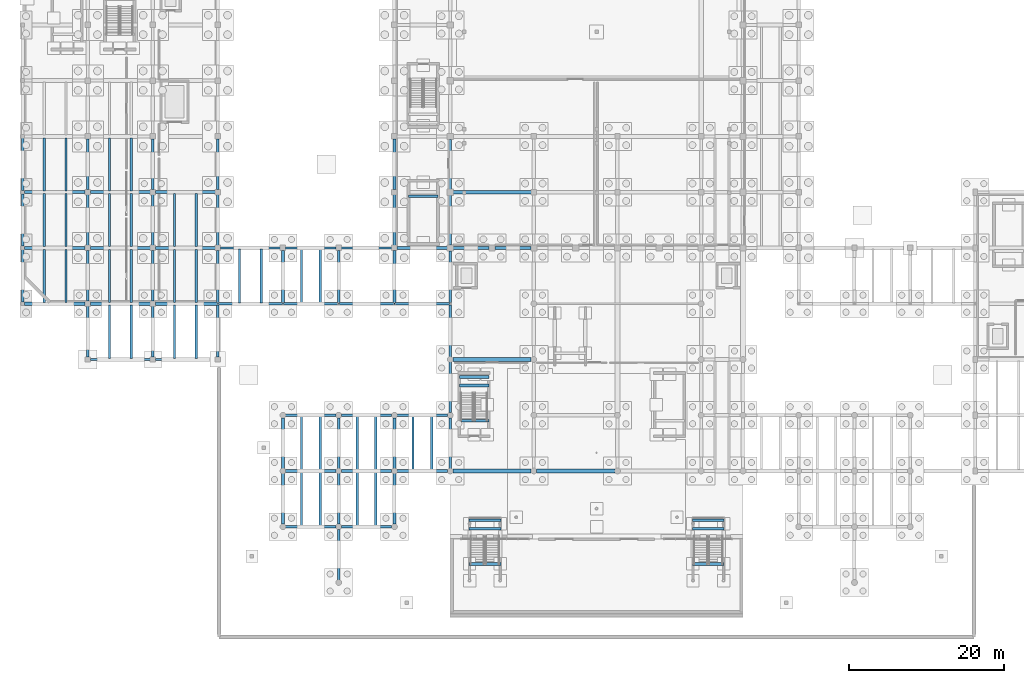
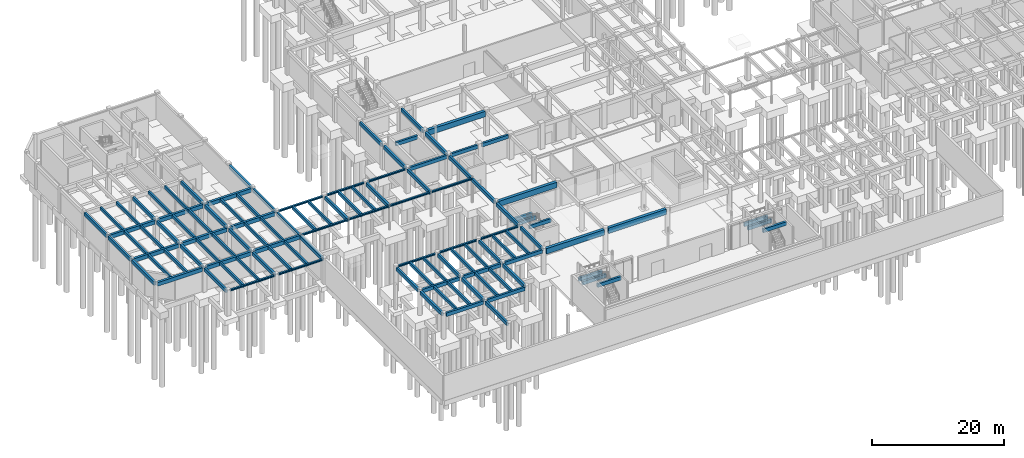
# One storey, part 19 of 46: 110 beams.
"""IFC4 building model written with IfcOpenShell, lengths in metres."""

from ifc_helpers import new_model, si_unit, direction, frame, origin, origin_2d, place, context, subcontext, project, spatial, rectangle, i_section, extrude, material, material_profile, profile_set, type_object, element, save


model = new_model("IFC4")

# Units and contexts
model_context = context("Model", 3, precision=1e-05, world=origin(), true_north=direction((0.0, 1.0)))
body_context = subcontext(model_context, "Body", "Model", "MODEL_VIEW")
ifc_project = project(units=[si_unit("LENGTHUNIT", "METRE"), si_unit("AREAUNIT", "SQUARE_METRE"), si_unit("VOLUMEUNIT", "CUBIC_METRE"), si_unit("PLANEANGLEUNIT", "RADIAN"), si_unit("MASSUNIT", "GRAM", prefix="KILO")], contexts=[model_context])

# Site, building, storey
site_placement = place(None, origin())
site = spatial("IfcSite", under=ifc_project, at=site_placement, CompositionType="ELEMENT")
building_placement = place(site_placement, origin())
building = spatial("IfcBuilding", under=site, at=building_placement, Name="Tazoul Stagehouse", CompositionType="ELEMENT")
storey_placement = place(building_placement, frame((0.0, 0.0, -4.800048828125)))
storey = spatial("IfcBuildingStorey", under=building, at=storey_placement, Name="B1", CompositionType="ELEMENT", Elevation=-4.800048828125)

# Beams
ifc_material_1 = material(Name="Concrete C40/50", Category="concrete")
ifc_material_profile_1 = material_profile(ifc_material_1, rectangle(XDim=0.35009765625, YDim=0.64990234375, at=origin_2d()), Name="RC 350x650")
ifc_profile_set_1 = profile_set([ifc_material_profile_1], Name="Concrete C40/50")
beam_type_1 = type_object("IfcBeamType", Name="RC Perimeter Spandrel 350x650 (Exterior)", PredefinedType="SPANDREL", material=ifc_profile_set_1)
for number, where, z_axis, x_axis, name in (
    (1, (2.39990234375, 44.824951171875, 4.213134765625), (0.0, 1.0, 0.0), (-1.0, 0.0, 0.0), "B1 Beam SP-01E 1/G-H"),
    (2, (2.39990234375, 52.02490234375, 4.213134765625), (0.0, 1.0, 0.0), (-1.0, 0.0, 0.0), "B1 Beam SP-01E 1/H-J"),
    (3, (2.39990234375, 59.22509765625, 4.213134765625), (0.0, 1.0, 0.0), (-1.0, 0.0, 0.0), "B1 Beam SP-01E 1/J-K"),
):
    element("IfcBeam", number, at=place(storey_placement, frame(where, z_axis=z_axis, x_axis=x_axis)), inside=storey, type_object=beam_type_1, Name=name, PredefinedType="SPANDREL", context=body_context, shape_type="SweptSolid", body=[
        extrude(rectangle(XDim=0.35009765625, YDim=0.64990234375, at=origin_2d()), origin(), (0.0, 0.0, 1.0), 6.75),
    ])
beam_1_placement = place(storey_placement, frame((27.60009765625, 37.72509765625, 4.213134765625), z_axis=(0.0, 1.0, 0.0), x_axis=(-1.0, 0.0, 0.0)))
element("IfcBeam", 4, at=beam_1_placement, inside=storey, type_object=beam_type_1, Name="B1 Beam SP-01E 4/F-G", PredefinedType="SPANDREL", context=body_context, shape_type="SweptSolid", body=[
    extrude(rectangle(XDim=0.35009765625, YDim=0.64990234375, at=origin_2d()), origin(), (0.0, 0.0, 1.0), 6.738037109375),
])
for number, where, z_axis, x_axis, name in (
    (5, (27.60009765625, 52.125, 4.213134765625), (0.0, 1.0, 0.0), (-1.0, 0.0, 0.0), "B1 Beam SP-01E 4/H-J"),
    (6, (27.60009765625, 59.324951171875, 4.213134765625), (0.0, 1.0, 0.0), (-1.0, 0.0, 0.0), "B1 Beam SP-01E 4/J-K"),
):
    element("IfcBeam", number, at=place(storey_placement, frame(where, z_axis=z_axis, x_axis=x_axis)), inside=storey, type_object=beam_type_1, Name=name, PredefinedType="SPANDREL", context=body_context, shape_type="SweptSolid", body=[
        extrude(rectangle(XDim=0.35009765625, YDim=0.64990234375, at=origin_2d()), origin(), (0.0, 0.0, 1.0), 6.550048828125),
    ])
for number, where, z_axis, x_axis, name in (
    (7, (36.0, 16.14990234375, 4.213134765625), (0.0, 1.0, 0.0), (-1.0, 0.0, 0.0), "B1 Beam SP-01E 5/C-D"),
    (8, (36.0, 23.35009765625, 4.213134765625), (0.0, 1.0, 0.0), (-1.0, 0.0, 0.0), "B1 Beam SP-01E 5/D-E"),
):
    element("IfcBeam", number, at=place(storey_placement, frame(where, z_axis=z_axis, x_axis=x_axis)), inside=storey, type_object=beam_type_1, Name=name, PredefinedType="SPANDREL", context=body_context, shape_type="SweptSolid", body=[
        extrude(rectangle(XDim=0.35009765625, YDim=0.64990234375, at=origin_2d()), origin(), (0.0, 0.0, 1.0), 6.5),
    ])
for number, where, z_axis, x_axis, name in (
    (9, (50.39990234375, 52.125, 4.193115234375), (0.0, 1.0, 0.0), (-1.0, 0.0, 0.0), "B1 Beam SP-01E 7/H-J"),
    (10, (50.39990234375, 59.324951171875, 4.193115234375), (0.0, 1.0, 0.0), (-1.0, 0.0, 0.0), "B1 Beam SP-01E 7/J-K"),
):
    element("IfcBeam", number, at=place(storey_placement, frame(where, z_axis=z_axis, x_axis=x_axis)), inside=storey, type_object=beam_type_1, Name=name, PredefinedType="SPANDREL", context=body_context, shape_type="SweptSolid", body=[
        extrude(rectangle(XDim=0.35009765625, YDim=0.64990234375, at=origin_2d()), origin(), (0.0, 0.0, 1.0), 6.550048828125),
    ])
beam_2_placement = place(storey_placement, frame((57.60009765625, 30.550048828125, 4.213134765625), z_axis=(0.0, 1.0, 0.0), x_axis=(-1.0, 0.0, 0.0)))
element("IfcBeam", 11, at=beam_2_placement, inside=storey, type_object=beam_type_1, Name="B1 Beam SP-01E 8/E-F", PredefinedType="SPANDREL", context=body_context, shape_type="SweptSolid", body=[
    extrude(rectangle(XDim=0.35009765625, YDim=0.64990234375, at=origin_2d()), origin(), (0.0, 0.0, 1.0), 6.5),
])
beam_3_placement = place(storey_placement, frame((57.60009765625, 37.75, 4.213134765625), z_axis=(0.0, 1.0, 0.0), x_axis=(-1.0, 0.0, 0.0)))
element("IfcBeam", 12, at=beam_3_placement, inside=storey, type_object=beam_type_1, Name="B1 Beam SP-01E 8/F-G", PredefinedType="SPANDREL", context=body_context, shape_type="SweptSolid", body=[
    extrude(rectangle(XDim=0.35009765625, YDim=0.64990234375, at=origin_2d()), origin(), (0.0, 0.0, 1.0), 6.713134765625),
])
ifc_material_profile_2 = material_profile(ifc_material_1, rectangle(XDim=0.35009765625, YDim=0.64990234375, at=origin_2d()), Name="RC 350x650")
ifc_profile_set_2 = profile_set([ifc_material_profile_2], Name="Concrete C40/50")
beam_type_2 = type_object("IfcBeamType", Name="RC Primary Girder 350x650", PredefinedType="BEAM", material=ifc_profile_set_2)
for number, where, z_axis, x_axis, name in (
    (13, (36.35009765625, 15.800048828125, 4.213134765625), (1.0, 0.0, 0.0), (0.0, 1.0, 0.0), "B1 Beam BM-01 C/5-6"),
    (14, (43.550048828125, 15.800048828125, 4.213134765625), (1.0, 0.0, 0.0), (0.0, 1.0, 0.0), "B1 Beam BM-01 C/6-7"),
    (15, (36.35009765625, 23.0, 4.213134765625), (1.0, 0.0, 0.0), (0.0, 1.0, 0.0), "B1 Beam BM-01 D/5-6"),
    (16, (43.550048828125, 23.0, 4.213134765625), (1.0, 0.0, 0.0), (0.0, 1.0, 0.0), "B1 Beam BM-01 D/6-7"),
    (17, (50.75, 23.0, 4.213134765625), (1.0, 0.0, 0.0), (0.0, 1.0, 0.0), "B1 Beam BM-01 D/7-8"),
    (18, (50.72509765625, 51.800048828125, 4.193115234375), (1.0, 0.0, 0.0), (0.0, 1.0, 0.0), "B1 Beam BM-01 H/7-8"),
):
    element("IfcBeam", number, at=place(storey_placement, frame(where, z_axis=z_axis, x_axis=x_axis)), inside=storey, type_object=beam_type_2, Name=name, PredefinedType="BEAM", context=body_context, shape_type="SweptSolid", body=[
        extrude(rectangle(XDim=0.35009765625, YDim=0.64990234375, at=origin_2d()), origin(), (0.0, 0.0, 1.0), 6.5),
    ])
for number, where, z_axis, x_axis, name in (
    (19, (57.97509765625, 51.800048828125, 4.193115234375), (1.0, 0.0, 0.0), (0.0, 1.0, 0.0), "B1 Beam BM-01 H/8-9"),
    (20, (63.375, 51.800048828125, 4.193115234375), (1.0, 0.0, 0.0), (0.0, 1.0, 0.0), "B1 Beam BM-01 H/9-10"),
):
    element("IfcBeam", number, at=place(storey_placement, frame(where, z_axis=z_axis, x_axis=x_axis)), inside=storey, type_object=beam_type_2, Name=name, PredefinedType="BEAM", context=body_context, shape_type="SweptSolid", body=[
        extrude(rectangle(XDim=0.35009765625, YDim=0.64990234375, at=origin_2d()), origin(), (0.0, 0.0, 1.0), 4.64990234375),
    ])
beam_4_placement = place(storey_placement, frame((10.800048828125, 37.72509765625, 4.213134765625), z_axis=(0.0, 1.0, 0.0), x_axis=(-1.0, 0.0, 0.0)))
element("IfcBeam", 21, at=beam_4_placement, inside=storey, type_object=beam_type_2, Name="B1 Beam BM-01 2/F-G", PredefinedType="BEAM", context=body_context, shape_type="SweptSolid", body=[
    extrude(rectangle(XDim=0.35009765625, YDim=0.64990234375, at=origin_2d()), origin(), (0.0, 0.0, 1.0), 6.5498046875),
])
for number, where, z_axis, x_axis, name in (
    (22, (10.800048828125, 44.925048828125, 4.213134765625), (0.0, 1.0, 0.0), (-1.0, 0.0, 0.0), "B1 Beam BM-01 2/G-H"),
    (23, (10.800048828125, 52.125, 4.213134765625), (0.0, 1.0, 0.0), (-1.0, 0.0, 0.0), "B1 Beam BM-01 2/H-J"),
    (24, (10.800048828125, 59.324951171875, 4.213134765625), (0.0, 1.0, 0.0), (-1.0, 0.0, 0.0), "B1 Beam BM-01 2/J-K"),
):
    element("IfcBeam", number, at=place(storey_placement, frame(where, z_axis=z_axis, x_axis=x_axis)), inside=storey, type_object=beam_type_2, Name=name, PredefinedType="BEAM", context=body_context, shape_type="SweptSolid", body=[
        extrude(rectangle(XDim=0.35009765625, YDim=0.64990234375, at=origin_2d()), origin(), (0.0, 0.0, 1.0), 6.550048828125),
    ])
beam_5_placement = place(storey_placement, frame((19.199951171875, 37.72509765625, 4.213134765625), z_axis=(0.0, 1.0, 0.0), x_axis=(-1.0, 0.0, 0.0)))
element("IfcBeam", 25, at=beam_5_placement, inside=storey, type_object=beam_type_2, Name="B1 Beam BM-01 3/F-G", PredefinedType="BEAM", context=body_context, shape_type="SweptSolid", body=[
    extrude(rectangle(XDim=0.35009765625, YDim=0.64990234375, at=origin_2d()), origin(), (0.0, 0.0, 1.0), 6.5498046875),
])
for number, where, z_axis, x_axis, name in (
    (26, (19.199951171875, 44.925048828125, 4.213134765625), (0.0, 1.0, 0.0), (-1.0, 0.0, 0.0), "B1 Beam BM-01 3/G-H"),
    (27, (19.199951171875, 52.125, 4.213134765625), (0.0, 1.0, 0.0), (-1.0, 0.0, 0.0), "B1 Beam BM-01 3/H-J"),
    (28, (19.199951171875, 59.324951171875, 4.213134765625), (0.0, 1.0, 0.0), (-1.0, 0.0, 0.0), "B1 Beam BM-01 3/J-K"),
):
    element("IfcBeam", number, at=place(storey_placement, frame(where, z_axis=z_axis, x_axis=x_axis)), inside=storey, type_object=beam_type_2, Name=name, PredefinedType="BEAM", context=body_context, shape_type="SweptSolid", body=[
        extrude(rectangle(XDim=0.35009765625, YDim=0.64990234375, at=origin_2d()), origin(), (0.0, 0.0, 1.0), 6.550048828125),
    ])
for number, where, z_axis, x_axis, name in (
    (29, (27.60009765625, 44.737060546875, 4.213134765625), (0.0, 1.0, 0.0), (-1.0, 0.0, 0.0), "B1 Beam BM-01 4/G-H"),
    (30, (36.0, 44.737060546875, 4.213134765625), (0.0, 1.0, 0.0), (-1.0, 0.0, 0.0), "B1 Beam BM-01 5/G-H"),
):
    element("IfcBeam", number, at=place(storey_placement, frame(where, z_axis=z_axis, x_axis=x_axis)), inside=storey, type_object=beam_type_2, Name=name, PredefinedType="BEAM", context=body_context, shape_type="SweptSolid", body=[
        extrude(rectangle(XDim=0.35009765625, YDim=0.64990234375, at=origin_2d()), origin(), (0.0, 0.0, 1.0), 6.738037109375),
    ])
for number, where, z_axis, x_axis, name in (
    (31, (43.199951171875, 8.949951171875, 4.213134765625), (0.0, 1.0, 0.0), (-1.0, 0.0, 0.0), "B1 Beam BM-01 6/B-C"),
    (32, (43.199951171875, 16.14990234375, 4.213134765625), (0.0, 1.0, 0.0), (-1.0, 0.0, 0.0), "B1 Beam BM-01 6/C-D"),
    (33, (43.199951171875, 23.35009765625, 4.213134765625), (0.0, 1.0, 0.0), (-1.0, 0.0, 0.0), "B1 Beam BM-01 6/D-E"),
):
    element("IfcBeam", number, at=place(storey_placement, frame(where, z_axis=z_axis, x_axis=x_axis)), inside=storey, type_object=beam_type_2, Name=name, PredefinedType="BEAM", context=body_context, shape_type="SweptSolid", body=[
        extrude(rectangle(XDim=0.35009765625, YDim=0.64990234375, at=origin_2d()), origin(), (0.0, 0.0, 1.0), 6.5),
    ])
beam_6_placement = place(storey_placement, frame((43.199951171875, 44.737060546875, 4.213134765625), z_axis=(0.0, 1.0, 0.0), x_axis=(-1.0, 0.0, 0.0)))
element("IfcBeam", 34, at=beam_6_placement, inside=storey, type_object=beam_type_2, Name="B1 Beam BM-01 6/G-H", PredefinedType="BEAM", context=body_context, shape_type="SweptSolid", body=[
    extrude(rectangle(XDim=0.35009765625, YDim=0.64990234375, at=origin_2d()), origin(), (0.0, 0.0, 1.0), 6.738037109375),
])
for number, where, z_axis, x_axis, name in (
    (35, (50.39990234375, 16.14990234375, 4.213134765625), (0.0, 1.0, 0.0), (-1.0, 0.0, 0.0), "B1 Beam BM-01 7/C-D"),
    (36, (50.39990234375, 23.35009765625, 4.213134765625), (0.0, 1.0, 0.0), (-1.0, 0.0, 0.0), "B1 Beam BM-01 7/D-E"),
):
    element("IfcBeam", number, at=place(storey_placement, frame(where, z_axis=z_axis, x_axis=x_axis)), inside=storey, type_object=beam_type_2, Name=name, PredefinedType="BEAM", context=body_context, shape_type="SweptSolid", body=[
        extrude(rectangle(XDim=0.35009765625, YDim=0.64990234375, at=origin_2d()), origin(), (0.0, 0.0, 1.0), 6.5),
    ])
beam_7_placement = place(storey_placement, frame((50.39990234375, 44.737060546875, 4.193115234375), z_axis=(0.0, 1.0, 0.0), x_axis=(-1.0, 0.0, 0.0)))
element("IfcBeam", 37, at=beam_7_placement, inside=storey, type_object=beam_type_2, Name="B1 Beam BM-01 7/G-H", PredefinedType="BEAM", context=body_context, shape_type="SweptSolid", body=[
    extrude(rectangle(XDim=0.35009765625, YDim=0.64990234375, at=origin_2d()), origin(), (0.0, 0.0, 1.0), 6.738037109375),
])
beam_8_placement = place(storey_placement, frame((57.60009765625, 23.35009765625, 4.213134765625), z_axis=(0.0, 1.0, 0.0), x_axis=(-1.0, 0.0, 0.0)))
element("IfcBeam", 38, at=beam_8_placement, inside=storey, type_object=beam_type_2, Name="B1 Beam BM-01 8/D-E", PredefinedType="BEAM", context=body_context, shape_type="SweptSolid", body=[
    extrude(rectangle(XDim=0.35009765625, YDim=0.64990234375, at=origin_2d()), origin(), (0.0, 0.0, 1.0), 6.5),
])
beam_9_placement = place(storey_placement, frame((57.60009765625, 44.737060546875, 4.193115234375), z_axis=(0.0, 1.0, 0.0), x_axis=(-1.0, 0.0, 0.0)))
element("IfcBeam", 39, at=beam_9_placement, inside=storey, type_object=beam_type_2, Name="B1 Beam BM-01 8/G-H", PredefinedType="BEAM", context=body_context, shape_type="SweptSolid", body=[
    extrude(rectangle(XDim=0.35009765625, YDim=0.64990234375, at=origin_2d()), origin(), (0.0, 0.0, 1.0), 6.68798828125),
])
for number, where, z_axis, x_axis, name in (
    (40, (57.60009765625, 52.175048828125, 4.193115234375), (0.0, 1.0, 0.0), (-1.0, 0.0, 0.0), "B1 Beam BM-01 8/H-J"),
    (41, (57.60009765625, 59.375, 4.193115234375), (0.0, 1.0, 0.0), (-1.0, 0.0, 0.0), "B1 Beam BM-01 8/J-K"),
):
    element("IfcBeam", number, at=place(storey_placement, frame(where, z_axis=z_axis, x_axis=x_axis)), inside=storey, type_object=beam_type_2, Name=name, PredefinedType="BEAM", context=body_context, shape_type="SweptSolid", body=[
        extrude(rectangle(XDim=0.35009765625, YDim=0.64990234375, at=origin_2d()), origin(), (0.0, 0.0, 1.0), 6.449951171875),
    ])
for number, where, z_axis, x_axis, name in (
    (42, (52.219970703125, 58.489990234375, 4.195068359375), (1.0, 0.0, 0.0), (0.0, 1.0, 0.0), "B1 Stair Base Departure Trimmer BM-01 (ST-05-FL0)"),
    (43, (58.77001953125, 34.030029296875, 1.880126953125), (1.0, 0.0, 0.0), (0.0, 1.0, 0.0), "B1 Stair Half-Landing Trimmer BM-01 (ST-B8-1)"),
    (44, (58.77001953125, 35.1298828125, 1.880126953125), (1.0, 0.0, 0.0), (0.0, 1.0, 0.0), "B1 Stair Half-Landing Trimmer BM-01 (ST-B8-2)"),
    (45, (58.77001953125, 29.47998046875, 4.195068359375), (1.0, 0.0, 0.0), (0.0, 1.0, 0.0), "B1 Stair Landing Trimmer BM-01 (ST-B8-FL)"),
):
    element("IfcBeam", number, at=place(storey_placement, frame(where, z_axis=z_axis, x_axis=x_axis)), inside=storey, type_object=beam_type_2, Name=name, PredefinedType="BEAM", context=body_context, shape_type="SweptSolid", body=[
        extrude(rectangle(XDim=0.35009765625, YDim=0.64990234375, at=origin_2d()), origin(), (0.0, 0.0, 1.0), 3.81005859375),
    ])
ifc_material_profile_3 = material_profile(ifc_material_1, rectangle(XDim=0.35009765625, YDim=0.64990234375, at=origin_2d()), Name="RC 350x650")
ifc_profile_set_3 = profile_set([ifc_material_profile_3], Name="Concrete C40/50")
beam_type_3 = type_object("IfcBeamType", Name="RC Primary Girder 350x650 (Exterior)", PredefinedType="BEAM", material=ifc_profile_set_3)
for number, where, z_axis, x_axis, name in (
    (46, (60.02001953125, 15.550048828125, 1.880126953125), (1.0, 0.0, 0.0), (0.0, 1.0, 0.0), "B1 Stair Half-Landing Trimmer BM-01E (ST-AMP-W-1)"),
    (47, (60.02001953125, 16.64990234375, 1.880126953125), (1.0, 0.0, 0.0), (0.0, 1.0, 0.0), "B1 Stair Half-Landing Trimmer BM-01E (ST-AMP-W-2)"),
    (48, (60.02001953125, 11.0, 4.195068359375), (1.0, 0.0, 0.0), (0.0, 1.0, 0.0), "B1 Stair Landing Trimmer BM-01E (ST-AMP-W-FL)"),
    (49, (88.8701171875, 15.550048828125, 1.880126953125), (1.0, 0.0, 0.0), (0.0, 1.0, 0.0), "B1 Stair Half-Landing Trimmer BM-01E (ST-AMP-E-1)"),
    (50, (88.8701171875, 16.64990234375, 1.880126953125), (1.0, 0.0, 0.0), (0.0, 1.0, 0.0), "B1 Stair Half-Landing Trimmer BM-01E (ST-AMP-E-2)"),
    (51, (88.8701171875, 11.0, 4.195068359375), (1.0, 0.0, 0.0), (0.0, 1.0, 0.0), "B1 Stair Landing Trimmer BM-01E (ST-AMP-E-FL)"),
):
    element("IfcBeam", number, at=place(storey_placement, frame(where, z_axis=z_axis, x_axis=x_axis)), inside=storey, type_object=beam_type_3, Name=name, PredefinedType="BEAM", context=body_context, shape_type="SweptSolid", body=[
        extrude(rectangle(XDim=0.35009765625, YDim=0.64990234375, at=origin_2d()), origin(), (0.0, 0.0, 1.0), 4.10986328125),
    ])
ifc_material_profile_4 = material_profile(ifc_material_1, rectangle(XDim=0.39990234375, YDim=0.699951171875, at=origin_2d()), Name="RC 400x700")
ifc_profile_set_4 = profile_set([ifc_material_profile_4], Name="Concrete C40/50")
beam_type_4 = type_object("IfcBeamType", Name="RC Primary Girder 400x700", PredefinedType="BEAM", material=ifc_profile_set_4)
beam_10_placement = place(storey_placement, frame((2.625, 44.60009765625, 4.18798828125), z_axis=(1.0, 0.0, 0.0), x_axis=(0.0, 1.0, 0.0)))
element("IfcBeam", 52, at=beam_10_placement, inside=storey, type_object=beam_type_4, Name="B1 Beam BM-02 G/1-2", PredefinedType="BEAM", context=body_context, shape_type="SweptSolid", body=[
    extrude(rectangle(XDim=0.39990234375, YDim=0.699951171875, at=origin_2d()), origin(), (0.0, 0.0, 1.0), 7.85009765625),
])
beam_11_placement = place(storey_placement, frame((11.125, 44.60009765625, 4.18798828125), z_axis=(1.0, 0.0, 0.0), x_axis=(0.0, 1.0, 0.0)))
element("IfcBeam", 53, at=beam_11_placement, inside=storey, type_object=beam_type_4, Name="B1 Beam BM-02 G/2-3", PredefinedType="BEAM", context=body_context, shape_type="SweptSolid", body=[
    extrude(rectangle(XDim=0.39990234375, YDim=0.699951171875, at=origin_2d()), origin(), (0.0, 0.0, 1.0), 7.75),
])
beam_12_placement = place(storey_placement, frame((19.52490234375, 44.60009765625, 4.18798828125), z_axis=(1.0, 0.0, 0.0), x_axis=(0.0, 1.0, 0.0)))
element("IfcBeam", 54, at=beam_12_placement, inside=storey, type_object=beam_type_4, Name="B1 Beam BM-02 G/3-4", PredefinedType="BEAM", context=body_context, shape_type="SweptSolid", body=[
    extrude(rectangle(XDim=0.39990234375, YDim=0.699951171875, at=origin_2d()), origin(), (0.0, 0.0, 1.0), 8.065185546875),
])
beam_13_placement = place(storey_placement, frame((2.625, 51.800048828125, 4.18798828125), z_axis=(1.0, 0.0, 0.0), x_axis=(0.0, 1.0, 0.0)))
element("IfcBeam", 55, at=beam_13_placement, inside=storey, type_object=beam_type_4, Name="B1 Beam BM-02 H/1-2", PredefinedType="BEAM", context=body_context, shape_type="SweptSolid", body=[
    extrude(rectangle(XDim=0.39990234375, YDim=0.699951171875, at=origin_2d()), origin(), (0.0, 0.0, 1.0), 7.85009765625),
])
for number, where, z_axis, x_axis, name in (
    (56, (11.125, 51.800048828125, 4.18798828125), (1.0, 0.0, 0.0), (0.0, 1.0, 0.0), "B1 Beam BM-02 H/2-3"),
    (57, (19.52490234375, 51.800048828125, 4.18798828125), (1.0, 0.0, 0.0), (0.0, 1.0, 0.0), "B1 Beam BM-02 H/3-4"),
):
    element("IfcBeam", number, at=place(storey_placement, frame(where, z_axis=z_axis, x_axis=x_axis)), inside=storey, type_object=beam_type_4, Name=name, PredefinedType="BEAM", context=body_context, shape_type="SweptSolid", body=[
        extrude(rectangle(XDim=0.39990234375, YDim=0.699951171875, at=origin_2d()), origin(), (0.0, 0.0, 1.0), 7.75),
    ])
beam_14_placement = place(storey_placement, frame((2.625, 59.0, 4.18798828125), z_axis=(1.0, 0.0, 0.0), x_axis=(0.0, 1.0, 0.0)))
element("IfcBeam", 58, at=beam_14_placement, inside=storey, type_object=beam_type_4, Name="B1 Beam BM-02 J/1-2", PredefinedType="BEAM", context=body_context, shape_type="SweptSolid", body=[
    extrude(rectangle(XDim=0.39990234375, YDim=0.699951171875, at=origin_2d()), origin(), (0.0, 0.0, 1.0), 7.85009765625),
])
for number, where, z_axis, x_axis, name in (
    (59, (11.125, 59.0, 4.18798828125), (1.0, 0.0, 0.0), (0.0, 1.0, 0.0), "B1 Beam BM-02 J/2-3"),
    (60, (19.52490234375, 59.0, 4.18798828125), (1.0, 0.0, 0.0), (0.0, 1.0, 0.0), "B1 Beam BM-02 J/3-4"),
):
    element("IfcBeam", number, at=place(storey_placement, frame(where, z_axis=z_axis, x_axis=x_axis)), inside=storey, type_object=beam_type_4, Name=name, PredefinedType="BEAM", context=body_context, shape_type="SweptSolid", body=[
        extrude(rectangle(XDim=0.39990234375, YDim=0.699951171875, at=origin_2d()), origin(), (0.0, 0.0, 1.0), 7.75),
    ])
ifc_material_2 = material(Name="Concrete C35/45", Category="concrete")
ifc_material_profile_5 = material_profile(ifc_material_2, rectangle(XDim=0.300048828125, YDim=0.550048828125, at=origin_2d()), Name="RC 300x550")
ifc_profile_set_5 = profile_set([ifc_material_profile_5], Name="Concrete C35/45")
beam_type_5 = type_object("IfcBeamType", Name="RC Rib Joist 300x550", PredefinedType="JOIST", material=ifc_profile_set_5)
for number, where, z_axis, x_axis, name in (
    (61, (38.39990234375, 15.949951171875, 4.262939453125), (0.0, 1.0, 0.0), (-1.0, 0.0, 0.0), "B1 Joist JS-06 5/C-1"),
    (62, (40.800048828125, 15.949951171875, 4.262939453125), (0.0, 1.0, 0.0), (-1.0, 0.0, 0.0), "B1 Joist JS-06 5/C-2"),
    (63, (45.60009765625, 15.949951171875, 4.262939453125), (0.0, 1.0, 0.0), (-1.0, 0.0, 0.0), "B1 Joist JS-06 6/C-1"),
    (64, (48.0, 15.949951171875, 4.262939453125), (0.0, 1.0, 0.0), (-1.0, 0.0, 0.0), "B1 Joist JS-06 6/C-2"),
):
    element("IfcBeam", number, at=place(storey_placement, frame(where, z_axis=z_axis, x_axis=x_axis)), inside=storey, type_object=beam_type_5, Name=name, PredefinedType="JOIST", context=body_context, shape_type="SweptSolid", body=[
        extrude(rectangle(XDim=0.300048828125, YDim=0.550048828125, at=origin_2d()), origin(), (0.0, 0.0, 1.0), 6.900146484375),
    ])
for number, where, z_axis, x_axis, name in (
    (65, (38.39990234375, 23.14990234375, 4.262939453125), (0.0, 1.0, 0.0), (-1.0, 0.0, 0.0), "B1 Joist JS-06 5/D-1"),
    (66, (40.800048828125, 23.14990234375, 4.262939453125), (0.0, 1.0, 0.0), (-1.0, 0.0, 0.0), "B1 Joist JS-06 5/D-2"),
    (67, (45.60009765625, 23.14990234375, 4.262939453125), (0.0, 1.0, 0.0), (-1.0, 0.0, 0.0), "B1 Joist JS-06 6/D-1"),
    (68, (48.0, 23.14990234375, 4.262939453125), (0.0, 1.0, 0.0), (-1.0, 0.0, 0.0), "B1 Joist JS-06 6/D-2"),
    (69, (52.800048828125, 23.14990234375, 4.262939453125), (0.0, 1.0, 0.0), (-1.0, 0.0, 0.0), "B1 Joist JS-06 7/D-1"),
    (70, (55.199951171875, 23.14990234375, 4.262939453125), (0.0, 1.0, 0.0), (-1.0, 0.0, 0.0), "B1 Joist JS-06 7/D-2"),
):
    element("IfcBeam", number, at=place(storey_placement, frame(where, z_axis=z_axis, x_axis=x_axis)), inside=storey, type_object=beam_type_5, Name=name, PredefinedType="JOIST", context=body_context, shape_type="SweptSolid", body=[
        extrude(rectangle(XDim=0.300048828125, YDim=0.550048828125, at=origin_2d()), origin(), (0.0, 0.0, 1.0), 6.925048828125),
    ])
for number, where, z_axis, x_axis, name in (
    (71, (13.60009765625, 37.52490234375, 4.262939453125), (0.0, 1.0, 0.0), (-1.0, 0.0, 0.0), "B1 Joist JS-06 2/F-1"),
    (72, (16.39990234375, 37.52490234375, 4.262939453125), (0.0, 1.0, 0.0), (-1.0, 0.0, 0.0), "B1 Joist JS-06 2/F-2"),
    (73, (22.0, 37.52490234375, 4.262939453125), (0.0, 1.0, 0.0), (-1.0, 0.0, 0.0), "B1 Joist JS-06 3/F-1"),
    (74, (24.800048828125, 37.52490234375, 4.262939453125), (0.0, 1.0, 0.0), (-1.0, 0.0, 0.0), "B1 Joist JS-06 3/F-2"),
):
    element("IfcBeam", number, at=place(storey_placement, frame(where, z_axis=z_axis, x_axis=x_axis)), inside=storey, type_object=beam_type_5, Name=name, PredefinedType="JOIST", context=body_context, shape_type="SweptSolid", body=[
        extrude(rectangle(XDim=0.300048828125, YDim=0.550048828125, at=origin_2d()), origin(), (0.0, 0.0, 1.0), 6.900146484375),
    ])
for number, where, z_axis, x_axis, name in (
    (75, (5.199951171875, 44.77490234375, 4.262939453125), (0.0, 1.0, 0.0), (-1.0, 0.0, 0.0), "B1 Joist JS-06 1/G-1"),
    (76, (8.0, 44.77490234375, 4.262939453125), (0.0, 1.0, 0.0), (-1.0, 0.0, 0.0), "B1 Joist JS-06 1/G-2"),
    (77, (13.60009765625, 44.77490234375, 4.262939453125), (0.0, 1.0, 0.0), (-1.0, 0.0, 0.0), "B1 Joist JS-06 2/G-1"),
    (78, (16.39990234375, 44.77490234375, 4.262939453125), (0.0, 1.0, 0.0), (-1.0, 0.0, 0.0), "B1 Joist JS-06 2/G-2"),
    (79, (22.0, 44.77490234375, 4.262939453125), (0.0, 1.0, 0.0), (-1.0, 0.0, 0.0), "B1 Joist JS-06 3/G-1"),
    (80, (24.800048828125, 44.77490234375, 4.262939453125), (0.0, 1.0, 0.0), (-1.0, 0.0, 0.0), "B1 Joist JS-06 3/G-2"),
):
    element("IfcBeam", number, at=place(storey_placement, frame(where, z_axis=z_axis, x_axis=x_axis)), inside=storey, type_object=beam_type_5, Name=name, PredefinedType="JOIST", context=body_context, shape_type="SweptSolid", body=[
        extrude(rectangle(XDim=0.300048828125, YDim=0.550048828125, at=origin_2d()), origin(), (0.0, 0.0, 1.0), 6.85009765625),
    ])
for number, where, z_axis, x_axis, name in (
    (81, (30.39990234375, 44.72509765625, 4.262939453125), (0.0, 1.0, 0.0), (-1.0, 0.0, 0.0), "B1 Joist JS-06 4/G-1"),
    (82, (33.199951171875, 44.72509765625, 4.262939453125), (0.0, 1.0, 0.0), (-1.0, 0.0, 0.0), "B1 Joist JS-06 4/G-2"),
    (83, (38.39990234375, 44.72509765625, 4.262939453125), (0.0, 1.0, 0.0), (-1.0, 0.0, 0.0), "B1 Joist JS-06 5/G-1"),
    (84, (40.800048828125, 44.72509765625, 4.262939453125), (0.0, 1.0, 0.0), (-1.0, 0.0, 0.0), "B1 Joist JS-06 5/G-2"),
):
    element("IfcBeam", number, at=place(storey_placement, frame(where, z_axis=z_axis, x_axis=x_axis)), inside=storey, type_object=beam_type_5, Name=name, PredefinedType="JOIST", context=body_context, shape_type="SweptSolid", body=[
        extrude(rectangle(XDim=0.300048828125, YDim=0.550048828125, at=origin_2d()), origin(), (0.0, 0.0, 1.0), 6.949951171875),
    ])
for number, where, z_axis, x_axis, name in (
    (85, (5.199951171875, 51.97509765625, 4.262939453125), (0.0, 1.0, 0.0), (-1.0, 0.0, 0.0), "B1 Joist JS-06 1/H-1"),
    (86, (8.0, 51.97509765625, 4.262939453125), (0.0, 1.0, 0.0), (-1.0, 0.0, 0.0), "B1 Joist JS-06 1/H-2"),
    (87, (13.60009765625, 51.97509765625, 4.262939453125), (0.0, 1.0, 0.0), (-1.0, 0.0, 0.0), "B1 Joist JS-06 2/H-1"),
    (88, (16.39990234375, 51.97509765625, 4.262939453125), (0.0, 1.0, 0.0), (-1.0, 0.0, 0.0), "B1 Joist JS-06 2/H-2"),
    (89, (22.0, 51.97509765625, 4.262939453125), (0.0, 1.0, 0.0), (-1.0, 0.0, 0.0), "B1 Joist JS-06 3/H-1"),
    (90, (24.800048828125, 51.97509765625, 4.262939453125), (0.0, 1.0, 0.0), (-1.0, 0.0, 0.0), "B1 Joist JS-06 3/H-2"),
    (91, (5.199951171875, 59.175048828125, 4.262939453125), (0.0, 1.0, 0.0), (-1.0, 0.0, 0.0), "B1 Joist JS-06 1/J-1"),
    (92, (8.0, 59.175048828125, 4.262939453125), (0.0, 1.0, 0.0), (-1.0, 0.0, 0.0), "B1 Joist JS-06 1/J-2"),
    (93, (13.60009765625, 59.175048828125, 4.262939453125), (0.0, 1.0, 0.0), (-1.0, 0.0, 0.0), "B1 Joist JS-06 2/J-1"),
    (94, (16.39990234375, 59.175048828125, 4.262939453125), (0.0, 1.0, 0.0), (-1.0, 0.0, 0.0), "B1 Joist JS-06 2/J-2"),
):
    element("IfcBeam", number, at=place(storey_placement, frame(where, z_axis=z_axis, x_axis=x_axis)), inside=storey, type_object=beam_type_5, Name=name, PredefinedType="JOIST", context=body_context, shape_type="SweptSolid", body=[
        extrude(rectangle(XDim=0.300048828125, YDim=0.550048828125, at=origin_2d()), origin(), (0.0, 0.0, 1.0), 6.849853515625),
    ])
ifc_material_profile_6 = material_profile(ifc_material_1, rectangle(XDim=0.5, YDim=1.0, at=origin_2d()), Name="RC 500x1000")
ifc_profile_set_6 = profile_set([ifc_material_profile_6], Name="Concrete C40/50")
beam_type_6 = type_object("IfcBeamType", Name="RC Transfer Girder 500x1000", PredefinedType="BEAM", material=ifc_profile_set_6)
for number, where, z_axis, x_axis, name in (
    (95, (57.949951171875, 23.0, 4.0380859375), (1.0, 0.0, 0.0), (0.0, 1.0, 0.0), "B1 Beam BM-04 D/8-10"),
    (96, (68.75, 23.0, 4.0380859375), (1.0, 0.0, 0.0), (0.0, 1.0, 0.0), "B1 Beam BM-04 D/10-12"),
    (97, (57.949951171875, 37.39990234375, 4.0380859375), (1.0, 0.0, 0.0), (0.0, 1.0, 0.0), "B1 Beam BM-04 F/8-10"),
):
    element("IfcBeam", number, at=place(storey_placement, frame(where, z_axis=z_axis, x_axis=x_axis)), inside=storey, type_object=beam_type_6, Name=name, PredefinedType="BEAM", context=body_context, shape_type="SweptSolid", body=[
        extrude(rectangle(XDim=0.5, YDim=1.0, at=origin_2d()), origin(), (0.0, 0.0, 1.0), 10.10009765625),
    ])
beam_15_placement = place(storey_placement, frame((57.97509765625, 59.0, 4.01806640625), z_axis=(1.0, 0.0, 0.0), x_axis=(0.0, 1.0, 0.0)))
element("IfcBeam", 98, at=beam_15_placement, inside=storey, type_object=beam_type_6, Name="B1 Beam BM-04 J/8-10", PredefinedType="BEAM", context=body_context, shape_type="SweptSolid", body=[
    extrude(rectangle(XDim=0.5, YDim=1.0, at=origin_2d()), origin(), (0.0, 0.0, 1.0), 10.099853515625),
])
ifc_material_3 = material(Name="Steel S355", Category="steel")
ifc_material_profile_7 = material_profile(ifc_material_3, i_section(OverallWidth=0.300048828125, OverallDepth=0.2900390625, WebThickness=0.008544921875, FlangeThickness=0.013916015625, FilletRadius=0.027099609375, at=origin_2d()), Name="HEA 300")
ifc_profile_set_7 = profile_set([ifc_material_profile_7], Name="Steel S355")
beam_type_7 = type_object("IfcBeamType", Name="Steel Crescent Spandrel HEA 300 (Exterior)", PredefinedType="SPANDREL", material=ifc_profile_set_7)
for number, where, z_axis, x_axis, name in (
    (99, (36.35009765625, 30.199951171875, 4.39306640625), (1.0, 0.0, 0.0), (0.0, 1.0, 0.0), "B1 Beam SP-03E E/5-6"),
    (100, (43.550048828125, 30.199951171875, 4.39306640625), (1.0, 0.0, 0.0), (0.0, 1.0, 0.0), "B1 Beam SP-03E E/6-7"),
    (101, (50.75, 30.199951171875, 4.39306640625), (1.0, 0.0, 0.0), (0.0, 1.0, 0.0), "B1 Beam SP-03E E/7-8"),
):
    element("IfcBeam", number, at=place(storey_placement, frame(where, z_axis=z_axis, x_axis=x_axis)), inside=storey, type_object=beam_type_7, Name=name, PredefinedType="SPANDREL", context=body_context, shape_type="SweptSolid", body=[
        extrude(i_section(OverallWidth=0.300048828125, OverallDepth=0.2900390625, WebThickness=0.008544921875, FlangeThickness=0.013916015625, FilletRadius=0.027099609375, at=origin_2d()), origin(), (0.0, 0.0, 1.0), 6.5),
    ])
for number, where, z_axis, x_axis, name in (
    (102, (11.125, 37.39990234375, 4.39306640625), (1.0, 0.0, 0.0), (0.0, 1.0, 0.0), "B1 Beam SP-03E F/2-3"),
    (103, (19.52490234375, 37.39990234375, 4.39306640625), (1.0, 0.0, 0.0), (0.0, 1.0, 0.0), "B1 Beam SP-03E F/3-4"),
):
    element("IfcBeam", number, at=place(storey_placement, frame(where, z_axis=z_axis, x_axis=x_axis)), inside=storey, type_object=beam_type_7, Name=name, PredefinedType="SPANDREL", context=body_context, shape_type="SweptSolid", body=[
        extrude(i_section(OverallWidth=0.300048828125, OverallDepth=0.2900390625, WebThickness=0.008544921875, FlangeThickness=0.013916015625, FilletRadius=0.027099609375, at=origin_2d()), origin(), (0.0, 0.0, 1.0), 7.75),
    ])
beam_16_placement = place(storey_placement, frame((27.610107421875, 44.60009765625, 4.39306640625), z_axis=(1.0, 0.0, 0.0), x_axis=(0.0, 1.0, 0.0)))
element("IfcBeam", 104, at=beam_16_placement, inside=storey, type_object=beam_type_7, Name="B1 Beam SP-03E G/4-5", PredefinedType="SPANDREL", context=body_context, shape_type="SweptSolid", body=[
    extrude(i_section(OverallWidth=0.300048828125, OverallDepth=0.2900390625, WebThickness=0.008544921875, FlangeThickness=0.013916015625, FilletRadius=0.027099609375, at=origin_2d()), origin(), (0.0, 0.0, 1.0), 8.3798828125),
])
for number, where, z_axis, x_axis, name in (
    (105, (36.010009765625, 44.60009765625, 4.39306640625), (1.0, 0.0, 0.0), (0.0, 1.0, 0.0), "B1 Beam SP-03E G/5-6"),
    (106, (43.2099609375, 44.60009765625, 4.39306640625), (1.0, 0.0, 0.0), (0.0, 1.0, 0.0), "B1 Beam SP-03E G/6-7"),
):
    element("IfcBeam", number, at=place(storey_placement, frame(where, z_axis=z_axis, x_axis=x_axis)), inside=storey, type_object=beam_type_7, Name=name, PredefinedType="SPANDREL", context=body_context, shape_type="SweptSolid", body=[
        extrude(i_section(OverallWidth=0.300048828125, OverallDepth=0.2900390625, WebThickness=0.008544921875, FlangeThickness=0.013916015625, FilletRadius=0.027099609375, at=origin_2d()), origin(), (0.0, 0.0, 1.0), 7.179931640625),
    ])
beam_17_placement = place(storey_placement, frame((50.409912109375, 44.60009765625, 4.39306640625), z_axis=(1.0, 0.0, 0.0), x_axis=(0.0, 1.0, 0.0)))
element("IfcBeam", 107, at=beam_17_placement, inside=storey, type_object=beam_type_7, Name="B1 Beam SP-03E G/7-8", PredefinedType="SPANDREL", context=body_context, shape_type="SweptSolid", body=[
    extrude(i_section(OverallWidth=0.300048828125, OverallDepth=0.2900390625, WebThickness=0.008544921875, FlangeThickness=0.013916015625, FilletRadius=0.027099609375, at=origin_2d()), origin(), (0.0, 0.0, 1.0), 7.18017578125),
])
beam_18_placement = place(storey_placement, frame((27.925048828125, 51.800048828125, 4.39306640625), z_axis=(1.0, 0.0, 0.0), x_axis=(0.0, 1.0, 0.0)))
element("IfcBeam", 108, at=beam_18_placement, inside=storey, type_object=beam_type_7, Name="B1 Beam SP-03E H/4-5", PredefinedType="SPANDREL", context=body_context, shape_type="SweptSolid", body=[
    extrude(i_section(OverallWidth=0.300048828125, OverallDepth=0.2900390625, WebThickness=0.008544921875, FlangeThickness=0.013916015625, FilletRadius=0.027099609375, at=origin_2d()), origin(), (0.0, 0.0, 1.0), 7.75),
])
for number, where, z_axis, x_axis, name in (
    (109, (36.324951171875, 51.800048828125, 4.39306640625), (1.0, 0.0, 0.0), (0.0, 1.0, 0.0), "B1 Beam SP-03E H/5-6"),
    (110, (43.52490234375, 51.800048828125, 4.373046875), (1.0, 0.0, 0.0), (0.0, 1.0, 0.0), "B1 Beam SP-03E H/6-7"),
):
    element("IfcBeam", number, at=place(storey_placement, frame(where, z_axis=z_axis, x_axis=x_axis)), inside=storey, type_object=beam_type_7, Name=name, PredefinedType="SPANDREL", context=body_context, shape_type="SweptSolid", body=[
        extrude(i_section(OverallWidth=0.300048828125, OverallDepth=0.2900390625, WebThickness=0.008544921875, FlangeThickness=0.013916015625, FilletRadius=0.027099609375, at=origin_2d()), origin(), (0.0, 0.0, 1.0), 6.550048828125),
    ])

save(model, "model.ifc")
